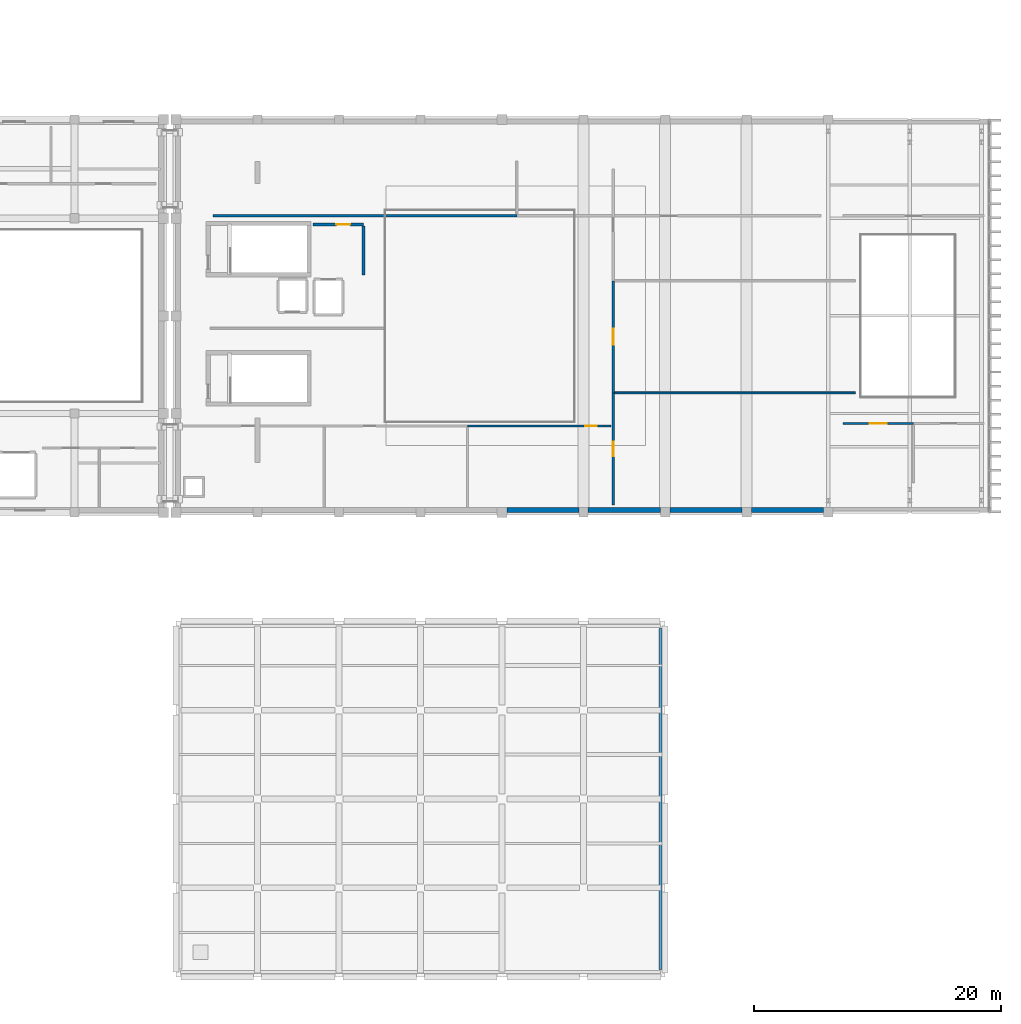
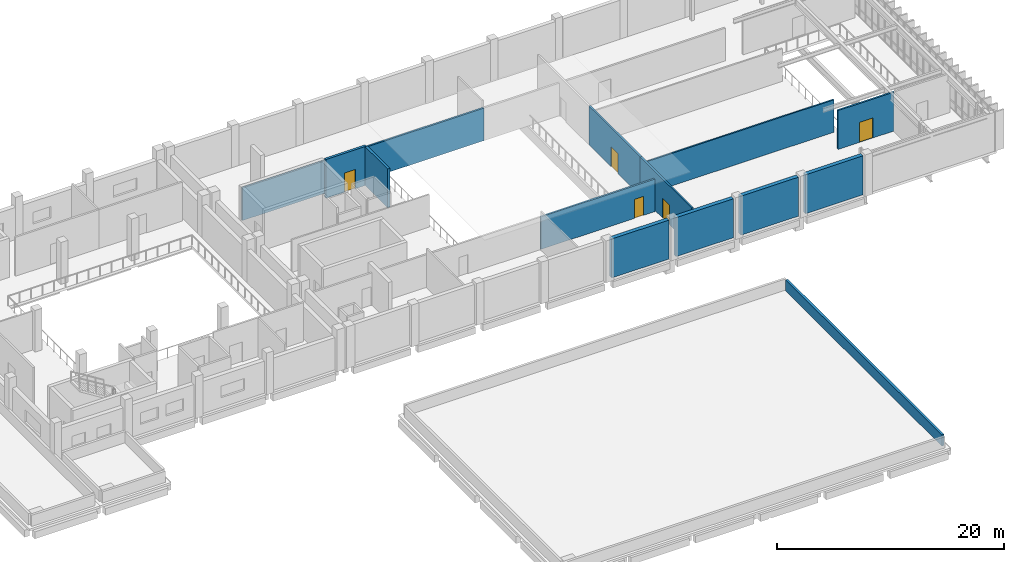
# One storey, part 15 of 23: 13 walls, 5 doors, 5 openings.
"""IFC4 building model written with IfcOpenShell, lengths in metres."""

from ifc_helpers import new_model, si_unit, direction, frame, frame_2d, origin, place, context, subcontext, project, spatial, rectangle, extrude, material, layer, layer_set, type_object, element, fill, save


model = new_model("IFC4")

# Units and contexts
model_context = context("Model", 3, precision=1e-05, world=origin(), true_north=direction((0.0, 1.0)))
body_context = subcontext(model_context, "Body", "Model", "MODEL_VIEW")
ifc_project = project(units=[si_unit("LENGTHUNIT", "METRE"), si_unit("AREAUNIT", "SQUARE_METRE"), si_unit("VOLUMEUNIT", "CUBIC_METRE"), si_unit("PLANEANGLEUNIT", "RADIAN"), si_unit("MASSUNIT", "GRAM", prefix="KILO")], contexts=[model_context])

# Site, building, storey
site_placement = place(None, origin())
site = spatial("IfcSite", under=ifc_project, at=site_placement, CompositionType="ELEMENT")
building_placement = place(site_placement, origin())
building = spatial("IfcBuilding", under=site, at=building_placement, Name="Kelarvand Opera House", CompositionType="ELEMENT")
storey_placement = place(building_placement, frame((0.0, 0.0, 19.5)))
storey = spatial("IfcBuildingStorey", under=building, at=storey_placement, Name="L04", CompositionType="ELEMENT", Elevation=19.5)

# Walls
ifc_material_1 = material(Name="Concrete C35/45", Category="concrete")
ifc_layer_1 = layer(ifc_material_1, 0.39990234375, Name="Concrete C35/45", Category="concrete")
ifc_layer_set_1 = layer_set([ifc_layer_1], Name="Concrete C35/45")
wall_type_1 = type_object("IfcWallType", Name="Acoustic Brick-Travertine Double Wall 400", PredefinedType="SOLIDWALL", material=ifc_layer_set_1)
wall_1_placement = place(storey_placement, frame((141.425048828125, 46.780029296875, 0.0), z_axis=(0.0, 0.0, 1.0), x_axis=(-1.0, 0.0, 0.0)))
element("IfcWall", 1, at=wall_1_placement, inside=storey, type_object=wall_type_1, Name="V1 L04 Exterior Wall EW-400 (163)", PredefinedType="SOLIDWALL", context=body_context, shape_type="SweptSolid", body=[
    extrude(rectangle(XDim=5.85009765625, YDim=0.39990234375, at=frame_2d((2.925048828125, 0.0))), origin(), (0.0, 0.0, 1.0), 4.199951171875),
])
wall_2_placement = place(storey_placement, frame((134.824951171875, 46.780029296875, 0.0), z_axis=(0.0, 0.0, 1.0), x_axis=(-1.0, 0.0, 0.0)))
element("IfcWall", 2, at=wall_2_placement, inside=storey, type_object=wall_type_1, Name="V1 L04 Exterior Wall EW-400 (164)", PredefinedType="SOLIDWALL", context=body_context, shape_type="SweptSolid", body=[
    extrude(rectangle(XDim=5.849853515625, YDim=0.39990234375, at=frame_2d((2.9248046875, 0.0))), origin(), (0.0, 0.0, 1.0), 4.199951171875),
])
wall_3_placement = place(storey_placement, frame((128.22509765625, 46.780029296875, 0.0), z_axis=(0.0, 0.0, 1.0), x_axis=(-1.0, 0.0, 0.0)))
element("IfcWall", 3, at=wall_3_placement, inside=storey, type_object=wall_type_1, Name="V1 L04 Exterior Wall EW-400 (165)", PredefinedType="SOLIDWALL", context=body_context, shape_type="SweptSolid", body=[
    extrude(rectangle(XDim=5.85009765625, YDim=0.39990234375, at=frame_2d((2.925048828125, 0.0))), origin(), (0.0, 0.0, 1.0), 4.199951171875),
])
wall_4_placement = place(storey_placement, frame((121.625, 46.780029296875, 0.0), z_axis=(0.0, 0.0, 1.0), x_axis=(-1.0, 0.0, 0.0)))
element("IfcWall", 4, at=wall_4_placement, inside=storey, type_object=wall_type_1, Name="V1 L04 Exterior Wall EW-400 (166)", PredefinedType="SOLIDWALL", context=body_context, shape_type="SweptSolid", body=[
    extrude(rectangle(XDim=5.81494140625, YDim=0.39990234375, at=frame_2d((2.907470703125, 0.0))), origin(), (0.0, 0.0, 1.0), 4.199951171875),
])
ifc_material_2 = material(Name="Acoustic double-stud gypsum partition")
ifc_layer_2 = layer(ifc_material_2, 0.14990234375, Name="Acoustic double-stud gypsum partition")
ifc_layer_set_2 = layer_set([ifc_layer_2], Name="Acoustic double-stud gypsum partition")
wall_type_2 = type_object("IfcWallType", Name="Acoustic Room Partition Wall 150", PredefinedType="PARTITIONING", material=ifc_layer_set_2)
wall_5_placement = place(storey_placement, frame((124.39990234375, 56.26708984375, 0.0), z_axis=(0.0, 0.0, 1.0), x_axis=(1.0, 0.0, 0.0)))
element("IfcWall", 5, at=wall_5_placement, inside=storey, type_object=wall_type_2, Name="V1 L04 Partition Wall IW-150 (632)", PredefinedType="PARTITIONING", context=body_context, shape_type="SweptSolid", body=[
    extrude(rectangle(XDim=19.60009765625, YDim=0.14990234375, at=frame_2d((9.800048828125, 0.0))), origin(), (0.0, 0.0, 1.0), 3.5029296875),
])
ifc_layer_3 = layer(ifc_material_1, 0.239990234375, Name="Concrete C35/45", Category="concrete")
ifc_layer_set_3 = layer_set([ifc_layer_3], Name="Concrete C35/45")
wall_type_3 = type_object("IfcWallType", Name="Capped Travertine Roof Parapet 240", PredefinedType="PARAPET", material=ifc_layer_set_3)
wall_6_placement = place(storey_placement, frame((128.219970703125, 9.6201171875, 0.0), z_axis=(0.0, 0.0, 1.0), x_axis=(0.0, 1.0, 0.0)))
element("IfcWall", 6, at=wall_6_placement, inside=storey, type_object=wall_type_3, Name="V6 Roof Parapet 48", PredefinedType="PARAPET", context=body_context, shape_type="SweptSolid", body=[
    extrude(rectangle(XDim=27.559814453125, YDim=0.239990234375, at=frame_2d((13.77978515625, 0.0))), origin(), (0.0, 0.0, 1.0), 1.199951171875),
])

# Wall, opening, door
ifc_layer_4 = layer(ifc_material_1, 0.179931640625, Name="Concrete C35/45", Category="concrete")
ifc_layer_set_4 = layer_set([ifc_layer_4], Name="Concrete C35/45")
wall_type_4 = type_object("IfcWallType", Name="Corridor Fire-Rated Partition Wall 180 EI90", PredefinedType="PARTITIONING", material=ifc_layer_set_4)
wall_7_placement = place(storey_placement, frame((124.39990234375, 47.199951171875, 0.0), z_axis=(0.0, 0.0, 1.0), x_axis=(0.0, 1.0, 0.0)))
wall_7 = element("IfcWall", 7, at=wall_7_placement, inside=storey, type_object=wall_type_4, Name="V1 L04 Partition Wall IW-90 (631)", PredefinedType="PARTITIONING", context=body_context, shape_type="SweptSolid", body=[
    extrude(rectangle(XDim=9.067138671875, YDim=0.179931640625, at=frame_2d((4.53369140625, 0.0))), origin(), (0.0, 0.0, 1.0), 4.19189453125),
])
opening_1_placement = place(wall_7_placement, frame((3.93408203125, 0.0, 0.0)))
opening_1 = element("IfcOpeningElement", 8, at=opening_1_placement, cuts=wall_7, Name="Opening D-06", PredefinedType="OPENING", context=body_context, shape_type="SweptSolid", body=[
    extrude(rectangle(XDim=1.199951171875, YDim=2.10009765625, at=frame_2d((0.60009765625, 1.050048828125))), frame((0.0, 0.10009765625, 0.0), z_axis=(0.0, -1.0, 0.0), x_axis=(1.0, 0.0, 0.0)), (0.0, 0.0, 1.0), 0.199951171875),
])
ifc_material_3 = material(Name="Acoustic walnut-veneered hardwood", Category="wood")
door_type_1 = type_object("IfcDoorType", Name="Accessible Suite Timber Door 1200x2100", OperationType="NOTDEFINED", PredefinedType="DOOR", material=ifc_material_3)
door_1_placement = place(opening_1_placement, origin())
door_1 = element("IfcDoor", 9, at=door_1_placement, inside=storey, type_object=door_type_1, Name="V1 L04 Door D-06 (281)", OperationType="SINGLE_SWING_LEFT", OverallHeight=2.10009765625, OverallWidth=1.199951171875, PredefinedType="DOOR", context=body_context, shape_type="SweptSolid", body=[
    extrude(rectangle(XDim=1.199951171875, YDim=2.10009765625, at=frame_2d((0.60009765625, 1.050048828125))), frame((0.0, 0.02490234375, 0.0), z_axis=(0.0, -1.0, 0.0), x_axis=(1.0, 0.0, 0.0)), (0.0, 0.0, 1.0), 0.050048828125),
])
fill(opening_1, door_1)

wall_8_placement = place(storey_placement, frame((124.39990234375, 56.26708984375, 0.0), z_axis=(0.0, 0.0, 1.0), x_axis=(0.0, 1.0, 0.0)))
wall_8 = element("IfcWall", 10, at=wall_8_placement, inside=storey, type_object=wall_type_4, Name="V1 L04 Partition Wall IW-90 (633)", PredefinedType="PARTITIONING", context=body_context, shape_type="SweptSolid", body=[
    extrude(rectangle(XDim=9.06591796875, YDim=0.179931640625, at=frame_2d((4.532958984375, 0.0))), origin(), (0.0, 0.0, 1.0), 4.19189453125),
])
opening_2_placement = place(wall_8_placement, frame((3.89306640625, 0.0, 0.0)))
opening_2 = element("IfcOpeningElement", 11, at=opening_2_placement, cuts=wall_8, Name="Opening D-11", PredefinedType="OPENING", context=body_context, shape_type="SweptSolid", body=[
    extrude(rectangle(XDim=1.280029296875, YDim=2.139892578125, at=frame_2d((0.64013671875, 1.06982421875))), frame((0.0, 0.10009765625, 0.0), z_axis=(0.0, -1.0, 0.0), x_axis=(1.0, 0.0, 0.0)), (0.0, 0.0, 1.0), 0.199951171875),
])
door_type_2 = type_object("IfcDoorType", Name="Instrument Store Leaf-and-Half Door 1280x2140", OperationType="NOTDEFINED", PredefinedType="DOOR", material=ifc_material_3)
door_2_placement = place(opening_2_placement, origin())
door_2 = element("IfcDoor", 12, at=door_2_placement, inside=storey, type_object=door_type_2, Name="V1 L04 Door D-11 (282)", OperationType="SINGLE_SWING_RIGHT", OverallHeight=2.139892578125, OverallWidth=1.280029296875, PredefinedType="DOOR", context=body_context, shape_type="SweptSolid", body=[
    extrude(rectangle(XDim=1.280029296875, YDim=2.139892578125, at=frame_2d((0.64013671875, 1.06982421875))), frame((0.0, 0.02490234375, 0.0), z_axis=(0.0, -1.0, 0.0), x_axis=(1.0, 0.0, 0.0)), (0.0, 0.0, 1.0), 0.050048828125),
])
fill(opening_2, door_2)

wall_9_placement = place(storey_placement, frame((112.60009765625, 53.60009765625, 0.0), z_axis=(0.0, 0.0, 1.0), x_axis=(1.0, 0.0, 0.0)))
wall_9 = element("IfcWall", 13, at=wall_9_placement, inside=storey, type_object=wall_type_4, Name="V1 L04 Partition Wall IW-90 (640)", PredefinedType="PARTITIONING", context=body_context, shape_type="SweptSolid", body=[
    extrude(rectangle(XDim=11.599853515625, YDim=0.179931640625, at=frame_2d((5.7998046875, 0.0))), origin(), (0.0, 0.0, 1.0), 3.5029296875),
])
opening_3_placement = place(wall_9_placement, frame((9.548095703125, 0.0, 0.0)))
opening_3 = element("IfcOpeningElement", 14, at=opening_3_placement, cuts=wall_9, Name="Opening D-01", PredefinedType="OPENING", context=body_context, shape_type="SweptSolid", body=[
    extrude(rectangle(XDim=0.919921875, YDim=2.050048828125, at=frame_2d((0.4599609375, 1.02490234375))), frame((0.0, 0.10009765625, 0.0), z_axis=(0.0, -1.0, 0.0), x_axis=(1.0, 0.0, 0.0)), (0.0, 0.0, 1.0), 0.199951171875),
])
door_type_3 = type_object("IfcDoorType", Name="Solid Timber Dressing and WC Door 920x2050", OperationType="NOTDEFINED", PredefinedType="DOOR", material=ifc_material_3)
door_3_placement = place(opening_3_placement, origin())
door_3 = element("IfcDoor", 15, at=door_3_placement, inside=storey, type_object=door_type_3, Name="V1 L04 Door D-01 (286)", OperationType="SINGLE_SWING_RIGHT", OverallHeight=2.050048828125, OverallWidth=0.919921875, PredefinedType="DOOR", context=body_context, shape_type="SweptSolid", body=[
    extrude(rectangle(XDim=0.919921875, YDim=2.050048828125, at=frame_2d((0.4599609375, 1.02490234375))), frame((0.0, 0.02490234375, 0.0), z_axis=(0.0, -1.0, 0.0), x_axis=(1.0, 0.0, 0.0)), (0.0, 0.0, 1.0), 0.050048828125),
])
fill(opening_3, door_3)

wall_10_placement = place(storey_placement, frame((143.0, 53.800048828125, 0.0), z_axis=(0.0, 0.0, 1.0), x_axis=(1.0, 0.0, 0.0)))
wall_10 = element("IfcWall", 16, at=wall_10_placement, inside=storey, type_object=wall_type_4, Name="V1 L04 Partition Wall IW-90 (642)", PredefinedType="PARTITIONING", context=body_context, shape_type="SweptSolid", body=[
    extrude(rectangle(XDim=5.699951171875, YDim=0.179931640625, at=frame_2d((2.85009765625, 0.0))), origin(), (0.0, 0.0, 1.0), 4.19189453125),
])
opening_4_placement = place(wall_10_placement, frame((2.175048828125, 0.0, 0.0)))
opening_4 = element("IfcOpeningElement", 17, at=opening_4_placement, cuts=wall_10, Name="Opening D-12", PredefinedType="OPENING", context=body_context, shape_type="SweptSolid", body=[
    extrude(rectangle(XDim=1.35009765625, YDim=2.159912109375, at=frame_2d((0.675048828125, 1.080078125))), frame((0.0, 0.10009765625, 0.0), z_axis=(0.0, -1.0, 0.0), x_axis=(1.0, 0.0, 0.0)), (0.0, 0.0, 1.0), 0.199951171875),
])
door_type_4 = type_object("IfcDoorType", Name="Wardrobe Studio Leaf-and-Half Door 1350x2160", OperationType="NOTDEFINED", PredefinedType="DOOR", material=ifc_material_3)
door_4_placement = place(opening_4_placement, origin())
door_4 = element("IfcDoor", 18, at=door_4_placement, inside=storey, type_object=door_type_4, Name="V1 L04 Door D-12 (287)", OperationType="SINGLE_SWING_LEFT", OverallHeight=2.159912109375, OverallWidth=1.35009765625, PredefinedType="DOOR", context=body_context, shape_type="SweptSolid", body=[
    extrude(rectangle(XDim=1.35009765625, YDim=2.159912109375, at=frame_2d((0.675048828125, 1.080078125))), frame((0.0, 0.02490234375, 0.0), z_axis=(0.0, -1.0, 0.0), x_axis=(1.0, 0.0, 0.0)), (0.0, 0.0, 1.0), 0.050048828125),
])
fill(opening_4, door_4)

# Wall
wall_11_placement = place(storey_placement, frame((92.0, 70.60009765625, 0.0), z_axis=(0.0, 0.0, 1.0), x_axis=(1.0, 0.0, 0.0)))
element("IfcWall", 19, at=wall_11_placement, inside=storey, type_object=wall_type_4, Name="V1 L04 Partition Wall IW-90 (645)", PredefinedType="PARTITIONING", context=body_context, shape_type="SweptSolid", body=[
    extrude(rectangle(XDim=24.60009765625, YDim=0.179931640625, at=frame_2d((12.300048828125, 0.0))), origin(), (0.0, 0.0, 1.0), 3.5029296875),
])

# Wall, opening, door
ifc_layer_5 = layer(ifc_material_1, 0.239990234375, Name="Concrete C35/45", Category="concrete")
ifc_layer_set_5 = layer_set([ifc_layer_5], Name="Concrete C35/45")
wall_type_5 = type_object("IfcWallType", Name="Firefighting Lobby Partition Wall 240 EI120", PredefinedType="PARTITIONING", material=ifc_layer_set_5)
wall_12_placement = place(storey_placement, frame((104.199951171875, 69.89990234375, 0.0), z_axis=(0.0, 0.0, 1.0), x_axis=(-1.0, 0.0, 0.0)))
wall_12 = element("IfcWall", 20, at=wall_12_placement, inside=storey, type_object=wall_type_5, Name="V1 L04 Partition Wall IW-120 (621)", PredefinedType="PARTITIONING", context=body_context, shape_type="SweptSolid", body=[
    extrude(rectangle(XDim=4.099853515625, YDim=0.239990234375, at=frame_2d((2.0498046875, 0.0))), origin(), (0.0, 0.0, 1.0), 4.19189453125),
])
opening_5_placement = place(wall_12_placement, frame((1.10009765625, 0.0, 0.0)))
opening_5 = element("IfcOpeningElement", 21, at=opening_5_placement, cuts=wall_12, Name="Opening FD-01", PredefinedType="OPENING", context=body_context, shape_type="SweptSolid", body=[
    extrude(rectangle(XDim=1.10009765625, YDim=2.080078125, at=frame_2d((0.550048828125, 1.0400390625))), frame((0.0, 0.1298828125, 0.0), z_axis=(0.0, -1.0, 0.0), x_axis=(1.0, 0.0, 0.0)), (0.0, 0.0, 1.0), 0.260009765625),
])
ifc_material_4 = material(Name="Fire-rated brushed stainless steel", Category="steel")
door_type_5 = type_object("IfcDoorType", Name="Steel Fire-Rated Stair and FF Lobby Door 1100x2080", OperationType="NOTDEFINED", PredefinedType="DOOR", material=ifc_material_4)
door_5_placement = place(opening_5_placement, origin())
door_5 = element("IfcDoor", 22, at=door_5_placement, inside=storey, type_object=door_type_5, Name="V1 L04 Door FD-01 (278)", OperationType="SINGLE_SWING_RIGHT", OverallHeight=2.080078125, OverallWidth=1.10009765625, PredefinedType="DOOR", context=body_context, shape_type="SweptSolid", body=[
    extrude(rectangle(XDim=1.10009765625, YDim=2.080078125, at=frame_2d((0.550048828125, 1.0400390625))), frame((0.0, 0.02490234375, 0.0), z_axis=(0.0, -1.0, 0.0), x_axis=(1.0, 0.0, 0.0)), (0.0, 0.0, 1.0), 0.050048828125),
])
fill(opening_5, door_5)

# Wall
wall_13_placement = place(storey_placement, frame((104.199951171875, 69.760009765625, 0.0), z_axis=(0.0, 0.0, 1.0), x_axis=(0.0, -1.0, 0.0)))
element("IfcWall", 23, at=wall_13_placement, inside=storey, type_object=wall_type_5, Name="V1 L04 Partition Wall IW-120 (622)", PredefinedType="PARTITIONING", context=body_context, shape_type="SweptSolid", body=[
    extrude(rectangle(XDim=3.9599609375, YDim=0.239990234375, at=frame_2d((1.97998046875, 0.0))), origin(), (0.0, 0.0, 1.0), 4.19189453125),
])

save(model, "model.ifc")
